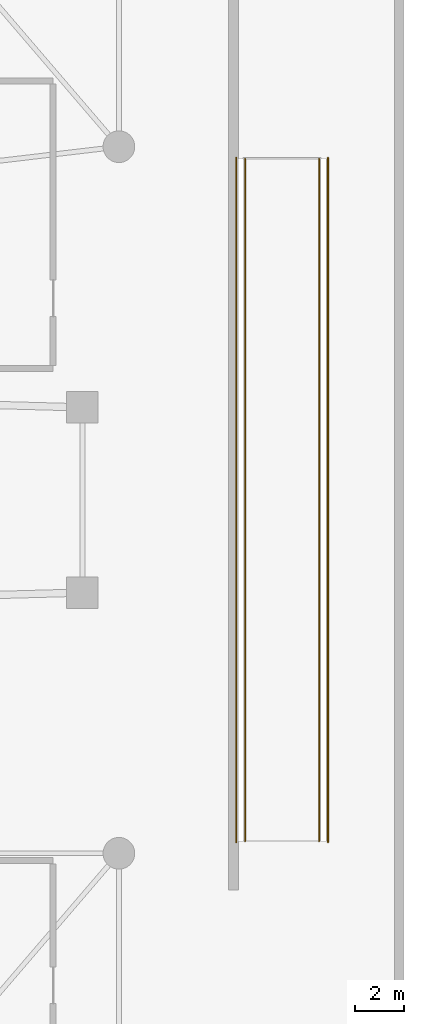
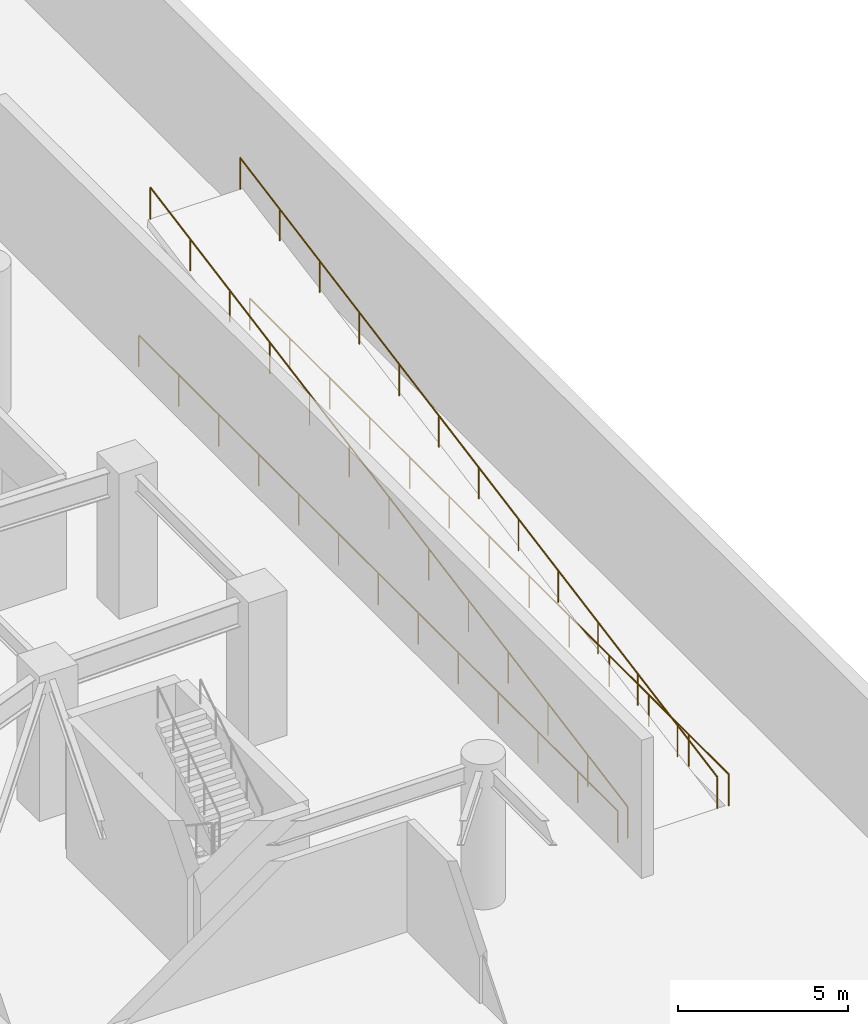
# One storey, part 12 of 12: 4 railings.
"""IFC4 building model written with IfcOpenShell, lengths in metres."""

from ifc_helpers import new_model, si_unit, direction, frame, origin, origin_2d, place, context, subcontext, project, spatial, circle, extrude, material, type_object, element, save


model = new_model("IFC4")

# Units and contexts
model_context = context("Model", 3, precision=1e-05, world=origin(), true_north=direction((0.0, 1.0)))
body_context = subcontext(model_context, "Body", "Model", "MODEL_VIEW")
ifc_project = project(units=[si_unit("LENGTHUNIT", "METRE"), si_unit("AREAUNIT", "SQUARE_METRE"), si_unit("VOLUMEUNIT", "CUBIC_METRE"), si_unit("PLANEANGLEUNIT", "RADIAN"), si_unit("MASSUNIT", "GRAM", prefix="KILO")], contexts=[model_context])

# Site, building, storey
site_placement = place(None, origin())
site = spatial("IfcSite", under=ifc_project, at=site_placement, CompositionType="ELEMENT")
building_placement = place(site_placement, origin())
building = spatial("IfcBuilding", under=site, at=building_placement, Name="Qingluan Cross Belvedere", CompositionType="ELEMENT")
storey_placement = place(building_placement, frame((0.0, 0.0, -5.199951171875)))
storey = spatial("IfcBuildingStorey", under=building, at=storey_placement, Name="B1", CompositionType="ELEMENT", Elevation=-5.199951171875)

# Railings
ifc_material = material(Name="Laminated glass and stainless steel balustrade", Category="steel")
railing_type = type_object("IfcRailingType", Name="TerraceGuardBalustrade_1150", PredefinedType="BALUSTRADE", material=ifc_material)
railing_1_placement = place(storey_placement, frame((33.679931640625, -14.0, 0.0)))
element("IfcRailing", 1, at=railing_1_placement, inside=storey, type_object=railing_type, Name="Vehicle ramp side guard VR4-W", PredefinedType="BALUSTRADE", context=body_context, shape_type="SweptSolid", body=[
    extrude(circle(Radius=0.02392578125, at=origin_2d()), frame((0.0, 0.0, 1.1259765625), z_axis=(0.0, 0.983189043875, 0.18259053646), x_axis=(-1.0, 0.0, 0.0)), (0.0, 0.0, 1.0), 28.478759765625),
    extrude(circle(Radius=0.02099609375, at=origin_2d()), origin(), (0.0, 0.0, 1.0), 1.101806640625),
    extrude(circle(Radius=0.02099609375, at=origin_2d()), frame((0.0, 2.333251953125, 0.433349609375)), (0.0, 0.0, 1.0), 1.101806640625),
    extrude(circle(Radius=0.02099609375, at=origin_2d()), frame((0.0, 4.666748046875, 0.86669921875)), (0.0, 0.0, 1.0), 1.101806640625),
    extrude(circle(Radius=0.02099609375, at=origin_2d()), frame((0.0, 7.0, 1.300048828125)), (0.0, 0.0, 1.0), 1.101806640625),
    extrude(circle(Radius=0.02099609375, at=origin_2d()), frame((0.0, 9.333251953125, 1.7333984375)), (0.0, 0.0, 1.0), 1.101806640625),
    extrude(circle(Radius=0.02099609375, at=origin_2d()), frame((0.0, 11.666748046875, 2.166748046875)), (0.0, 0.0, 1.0), 1.101806640625),
    extrude(circle(Radius=0.02099609375, at=origin_2d()), frame((0.0, 14.0, 2.60009765625)), (0.0, 0.0, 1.0), 1.101806640625),
    extrude(circle(Radius=0.02099609375, at=origin_2d()), frame((0.0, 16.333251953125, 3.033203125)), (0.0, 0.0, 1.0), 1.101806640625),
    extrude(circle(Radius=0.02099609375, at=origin_2d()), frame((0.0, 18.666748046875, 3.466552734375)), (0.0, 0.0, 1.0), 1.101806640625),
    extrude(circle(Radius=0.02099609375, at=origin_2d()), frame((0.0, 21.0, 3.89990234375)), (0.0, 0.0, 1.0), 1.101806640625),
    extrude(circle(Radius=0.02099609375, at=origin_2d()), frame((0.0, 23.333251953125, 4.333251953125)), (0.0, 0.0, 1.0), 1.101806640625),
    extrude(circle(Radius=0.02099609375, at=origin_2d()), frame((0.0, 25.666748046875, 4.7666015625)), (0.0, 0.0, 1.0), 1.101806640625),
    extrude(circle(Radius=0.02099609375, at=origin_2d()), frame((0.0, 28.0, 5.199951171875)), (0.0, 0.0, 1.0), 1.101806640625),
])
railing_2_placement = place(storey_placement, frame((36.719970703125, -14.0, 0.0)))
element("IfcRailing", 2, at=railing_2_placement, inside=storey, type_object=railing_type, Name="Vehicle ramp side guard VR4-E", PredefinedType="BALUSTRADE", context=body_context, shape_type="SweptSolid", body=[
    extrude(circle(Radius=0.02392578125, at=origin_2d()), frame((0.0, 0.0, 1.1259765625), z_axis=(0.0, 0.983189043875, 0.18259053646), x_axis=(-1.0, 0.0, 0.0)), (0.0, 0.0, 1.0), 28.478759765625),
    extrude(circle(Radius=0.02099609375, at=origin_2d()), origin(), (0.0, 0.0, 1.0), 1.101806640625),
    extrude(circle(Radius=0.02099609375, at=origin_2d()), frame((0.0, 2.333251953125, 0.433349609375)), (0.0, 0.0, 1.0), 1.101806640625),
    extrude(circle(Radius=0.02099609375, at=origin_2d()), frame((0.0, 4.666748046875, 0.86669921875)), (0.0, 0.0, 1.0), 1.101806640625),
    extrude(circle(Radius=0.02099609375, at=origin_2d()), frame((0.0, 7.0, 1.300048828125)), (0.0, 0.0, 1.0), 1.101806640625),
    extrude(circle(Radius=0.02099609375, at=origin_2d()), frame((0.0, 9.333251953125, 1.7333984375)), (0.0, 0.0, 1.0), 1.101806640625),
    extrude(circle(Radius=0.02099609375, at=origin_2d()), frame((0.0, 11.666748046875, 2.166748046875)), (0.0, 0.0, 1.0), 1.101806640625),
    extrude(circle(Radius=0.02099609375, at=origin_2d()), frame((0.0, 14.0, 2.60009765625)), (0.0, 0.0, 1.0), 1.101806640625),
    extrude(circle(Radius=0.02099609375, at=origin_2d()), frame((0.0, 16.333251953125, 3.033203125)), (0.0, 0.0, 1.0), 1.101806640625),
    extrude(circle(Radius=0.02099609375, at=origin_2d()), frame((0.0, 18.666748046875, 3.466552734375)), (0.0, 0.0, 1.0), 1.101806640625),
    extrude(circle(Radius=0.02099609375, at=origin_2d()), frame((0.0, 21.0, 3.89990234375)), (0.0, 0.0, 1.0), 1.101806640625),
    extrude(circle(Radius=0.02099609375, at=origin_2d()), frame((0.0, 23.333251953125, 4.333251953125)), (0.0, 0.0, 1.0), 1.101806640625),
    extrude(circle(Radius=0.02099609375, at=origin_2d()), frame((0.0, 25.666748046875, 4.7666015625)), (0.0, 0.0, 1.0), 1.101806640625),
    extrude(circle(Radius=0.02099609375, at=origin_2d()), frame((0.0, 28.0, 5.199951171875)), (0.0, 0.0, 1.0), 1.101806640625),
])
railing_3_placement = place(storey_placement, frame((33.320068359375, -14.050048828125, 0.0)))
element("IfcRailing", 3, at=railing_3_placement, inside=storey, type_object=railing_type, Name="Ramp well longitudinal guard B1-EW", PredefinedType="BALUSTRADE", context=body_context, shape_type="SweptSolid", body=[
    extrude(circle(Radius=0.02392578125, at=origin_2d()), frame((0.0, 0.0, 1.1259765625), z_axis=(0.0, 1.0, 0.0), x_axis=(-1.0, 0.0, 0.0)), (0.0, 0.0, 1.0), 28.10009765625),
    extrude(circle(Radius=0.02099609375, at=origin_2d()), origin(), (0.0, 0.0, 1.0), 1.101806640625),
    extrude(circle(Radius=0.02099609375, at=origin_2d()), frame((0.0, 2.341796875, 0.0)), (0.0, 0.0, 1.0), 1.101806640625),
    extrude(circle(Radius=0.02099609375, at=origin_2d()), frame((0.0, 4.683349609375, 0.0)), (0.0, 0.0, 1.0), 1.101806640625),
    extrude(circle(Radius=0.02099609375, at=origin_2d()), frame((0.0, 7.02490234375, 0.0)), (0.0, 0.0, 1.0), 1.101806640625),
    extrude(circle(Radius=0.02099609375, at=origin_2d()), frame((0.0, 9.36669921875, 0.0)), (0.0, 0.0, 1.0), 1.101806640625),
    extrude(circle(Radius=0.02099609375, at=origin_2d()), frame((0.0, 11.70849609375, 0.0)), (0.0, 0.0, 1.0), 1.101806640625),
    extrude(circle(Radius=0.02099609375, at=origin_2d()), frame((0.0, 14.050048828125, 0.0)), (0.0, 0.0, 1.0), 1.101806640625),
    extrude(circle(Radius=0.02099609375, at=origin_2d()), frame((0.0, 16.3916015625, 0.0)), (0.0, 0.0, 1.0), 1.101806640625),
    extrude(circle(Radius=0.02099609375, at=origin_2d()), frame((0.0, 18.7333984375, 0.0)), (0.0, 0.0, 1.0), 1.101806640625),
    extrude(circle(Radius=0.02099609375, at=origin_2d()), frame((0.0, 21.0751953125, 0.0)), (0.0, 0.0, 1.0), 1.101806640625),
    extrude(circle(Radius=0.02099609375, at=origin_2d()), frame((0.0, 23.416748046875, 0.0)), (0.0, 0.0, 1.0), 1.101806640625),
    extrude(circle(Radius=0.02099609375, at=origin_2d()), frame((0.0, 25.75830078125, 0.0)), (0.0, 0.0, 1.0), 1.101806640625),
    extrude(circle(Radius=0.02099609375, at=origin_2d()), frame((0.0, 28.10009765625, 0.0)), (0.0, 0.0, 1.0), 1.101806640625),
])
railing_4_placement = place(storey_placement, frame((37.080078125, -14.050048828125, 0.0)))
element("IfcRailing", 4, at=railing_4_placement, inside=storey, type_object=railing_type, Name="Ramp well longitudinal guard B1-EE", PredefinedType="BALUSTRADE", context=body_context, shape_type="SweptSolid", body=[
    extrude(circle(Radius=0.02392578125, at=origin_2d()), frame((0.0, 0.0, 1.1259765625), z_axis=(0.0, 1.0, 0.0), x_axis=(-1.0, 0.0, 0.0)), (0.0, 0.0, 1.0), 28.10009765625),
    extrude(circle(Radius=0.02099609375, at=origin_2d()), origin(), (0.0, 0.0, 1.0), 1.101806640625),
    extrude(circle(Radius=0.02099609375, at=origin_2d()), frame((0.0, 2.341796875, 0.0)), (0.0, 0.0, 1.0), 1.101806640625),
    extrude(circle(Radius=0.02099609375, at=origin_2d()), frame((0.0, 4.683349609375, 0.0)), (0.0, 0.0, 1.0), 1.101806640625),
    extrude(circle(Radius=0.02099609375, at=origin_2d()), frame((0.0, 7.02490234375, 0.0)), (0.0, 0.0, 1.0), 1.101806640625),
    extrude(circle(Radius=0.02099609375, at=origin_2d()), frame((0.0, 9.36669921875, 0.0)), (0.0, 0.0, 1.0), 1.101806640625),
    extrude(circle(Radius=0.02099609375, at=origin_2d()), frame((0.0, 11.70849609375, 0.0)), (0.0, 0.0, 1.0), 1.101806640625),
    extrude(circle(Radius=0.02099609375, at=origin_2d()), frame((0.0, 14.050048828125, 0.0)), (0.0, 0.0, 1.0), 1.101806640625),
    extrude(circle(Radius=0.02099609375, at=origin_2d()), frame((0.0, 16.3916015625, 0.0)), (0.0, 0.0, 1.0), 1.101806640625),
    extrude(circle(Radius=0.02099609375, at=origin_2d()), frame((0.0, 18.7333984375, 0.0)), (0.0, 0.0, 1.0), 1.101806640625),
    extrude(circle(Radius=0.02099609375, at=origin_2d()), frame((0.0, 21.0751953125, 0.0)), (0.0, 0.0, 1.0), 1.101806640625),
    extrude(circle(Radius=0.02099609375, at=origin_2d()), frame((0.0, 23.416748046875, 0.0)), (0.0, 0.0, 1.0), 1.101806640625),
    extrude(circle(Radius=0.02099609375, at=origin_2d()), frame((0.0, 25.75830078125, 0.0)), (0.0, 0.0, 1.0), 1.101806640625),
    extrude(circle(Radius=0.02099609375, at=origin_2d()), frame((0.0, 28.10009765625, 0.0)), (0.0, 0.0, 1.0), 1.101806640625),
])

save(model, "model.ifc")
